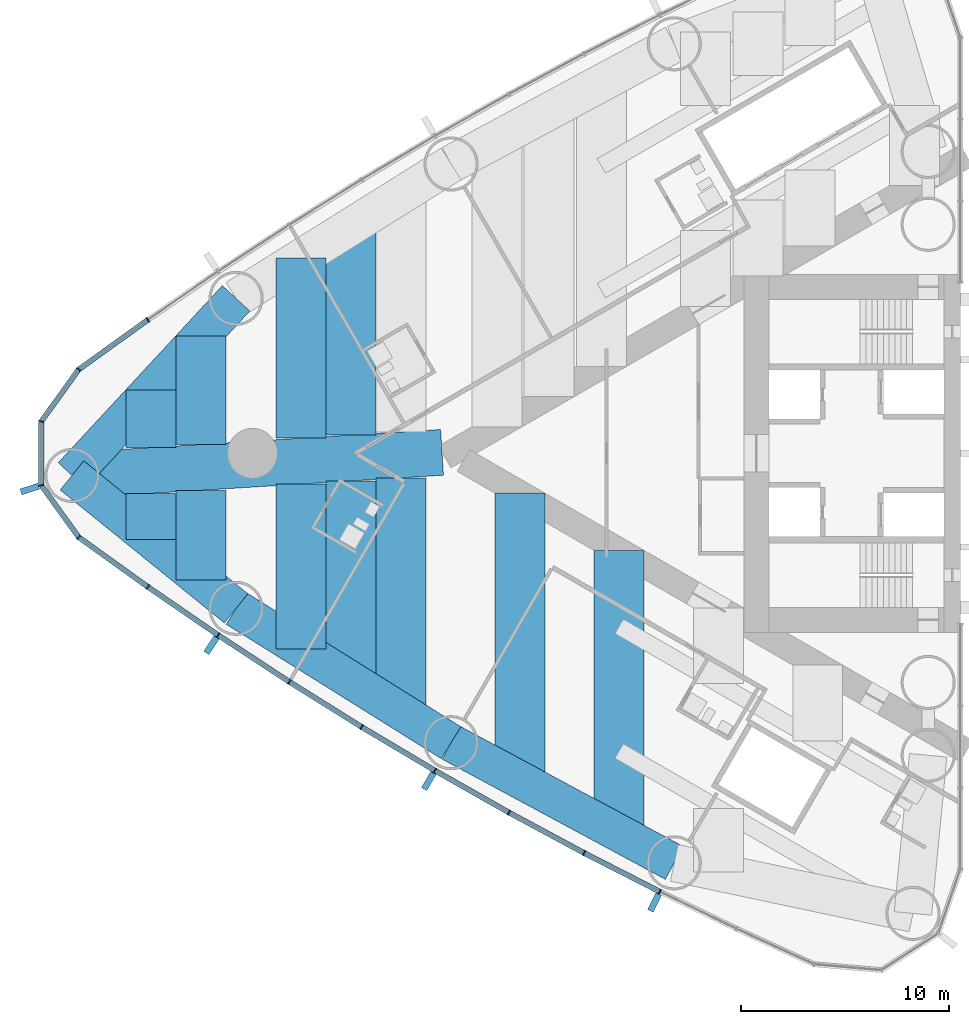
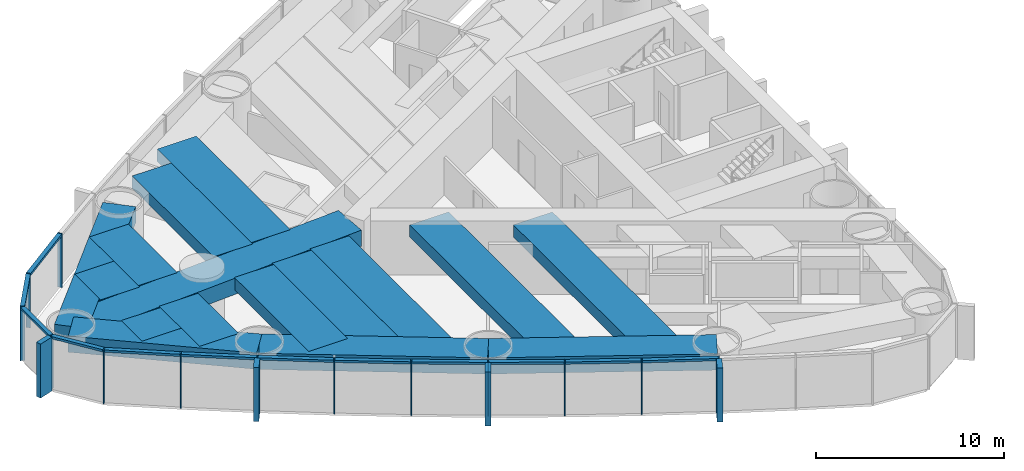
# One storey, part 2 of 19: 29 members, 16 beams, 1 element without a shape of its own.
"""IFC4 building model written with IfcOpenShell, lengths in metres."""

from ifc_helpers import new_model, si_unit, direction, frame, origin, origin_2d, place, context, subcontext, project, spatial, rectangle, extrude, material, material_profile, profile_set, type_object, element, aggregate, save


model = new_model("IFC4")

# Units and contexts
model_context = context("Model", 3, precision=1e-05, world=origin(), true_north=direction((0.0, 1.0)))
body_context = subcontext(model_context, "Body", "Model", "MODEL_VIEW")
ifc_project = project(units=[si_unit("LENGTHUNIT", "METRE"), si_unit("AREAUNIT", "SQUARE_METRE"), si_unit("VOLUMEUNIT", "CUBIC_METRE"), si_unit("PLANEANGLEUNIT", "RADIAN"), si_unit("MASSUNIT", "GRAM", prefix="KILO")], contexts=[model_context])

# Site, building, storey
site_placement = place(None, origin())
site = spatial("IfcSite", under=ifc_project, at=site_placement, CompositionType="ELEMENT")
building_placement = place(site_placement, origin())
building = spatial("IfcBuilding", under=site, at=building_placement, Name="Lancet Gate Hotel", CompositionType="ELEMENT")
storey_placement = place(building_placement, frame((0.0, 0.0, 132.60009765625)))
storey = spatial("IfcBuildingStorey", under=building, at=storey_placement, Name="L35", CompositionType="ELEMENT", Elevation=132.60009765625)

# Curtain wall, members
ifc_material_1 = material(Name="Aluminium curtain wall", Category="aluminium")
curtain_wall_type = type_object("IfcCurtainWallType", Name="Tower unitised curtain wall", PredefinedType="USERDEFINED", material=ifc_material_1)
curtain_wall_placement = place(storey_placement, origin())
curtain_wall = element("IfcCurtainWall", 1, at=curtain_wall_placement, inside=storey, type_object=curtain_wall_type, Name="T1 L35 curtain wall 1", ObjectType="UNITISED CURTAIN WALL", PredefinedType="USERDEFINED")
ifc_material_2 = material(Name="Aluminium mullion", Category="aluminium")
ifc_material_profile_1 = material_profile(ifc_material_2, rectangle(XDim=0.06494140625, YDim=0.25, at=origin_2d()), Name="MULLION 65x250")
ifc_profile_set_1 = profile_set([ifc_material_profile_1], Name="Aluminium mullion")
member_type_1 = type_object("IfcMemberType", Name="Aluminium mullion 65x250", PredefinedType="MULLION", material=ifc_profile_set_1)
member_1_placement = place(storey_placement, frame((-66.5234375, 6.41650390625, 0.0), z_axis=(0.0, 0.0, 1.0), x_axis=(-0.818327221681, -0.574752606132, 0.0)))
member_1 = element("IfcMember", 2, at=member_1_placement, type_object=member_type_1, Name="T1 L35 curtain wall 1 mullion 16", PredefinedType="MULLION", context=body_context, shape_type="SweptSolid", body=[
    extrude(rectangle(XDim=0.06494140625, YDim=0.25, at=origin_2d()), origin(), (0.0, 0.0, 1.0), 3.5),
])
member_2_placement = place(storey_placement, frame((-69.84619140625, 4.02880859375, 0.0), z_axis=(0.0, 0.0, 1.0), x_axis=(-0.723846229576, -0.6899613293, 0.0)))
member_2 = element("IfcMember", 3, at=member_2_placement, type_object=member_type_1, Name="T1 L35 curtain wall 1 mullion 17", PredefinedType="MULLION", context=body_context, shape_type="SweptSolid", body=[
    extrude(rectangle(XDim=0.06494140625, YDim=0.25, at=origin_2d()), origin(), (0.0, 0.0, 1.0), 3.5),
])
member_3_placement = place(storey_placement, frame((-71.64306640625, 1.536376953125, 0.0), z_axis=(0.0, 0.0, 1.0), x_axis=(-0.307269196735, -0.95162263568, 0.0)))
member_3 = element("IfcMember", 4, at=member_3_placement, type_object=member_type_1, Name="T1 L35 curtain wall 1 mullion 18", PredefinedType="MULLION", context=body_context, shape_type="SweptSolid", body=[
    extrude(rectangle(XDim=0.06494140625, YDim=0.25, at=origin_2d()), origin(), (0.0, 0.0, 1.0), 3.5),
])
member_4_placement = place(storey_placement, frame((-71.64306640625, -1.536376953125, 0.0), z_axis=(0.0, 0.0, 1.0), x_axis=(0.307269196735, -0.95162263568, 0.0)))
member_4 = element("IfcMember", 5, at=member_4_placement, type_object=member_type_1, Name="T1 L35 curtain wall 1 mullion 19", PredefinedType="MULLION", context=body_context, shape_type="SweptSolid", body=[
    extrude(rectangle(XDim=0.06494140625, YDim=0.25, at=origin_2d()), origin(), (0.0, 0.0, 1.0), 3.5),
])
member_5_placement = place(storey_placement, frame((-69.84619140625, -4.02880859375, 0.0), z_axis=(0.0, 0.0, 1.0), x_axis=(0.723846229576, -0.6899613293, 0.0)))
member_5 = element("IfcMember", 6, at=member_5_placement, type_object=member_type_1, Name="T1 L35 curtain wall 1 mullion 20", PredefinedType="MULLION", context=body_context, shape_type="SweptSolid", body=[
    extrude(rectangle(XDim=0.06494140625, YDim=0.25, at=origin_2d()), origin(), (0.0, 0.0, 1.0), 3.5),
])
member_6_placement = place(storey_placement, frame((-66.5234375, -6.41650390625, 0.0), z_axis=(0.0, 0.0, 1.0), x_axis=(0.818327221681, -0.574752606132, 0.0)))
member_6 = element("IfcMember", 7, at=member_6_placement, type_object=member_type_1, Name="T1 L35 curtain wall 1 mullion 21", PredefinedType="MULLION", context=body_context, shape_type="SweptSolid", body=[
    extrude(rectangle(XDim=0.06494140625, YDim=0.25, at=origin_2d()), origin(), (0.0, 0.0, 1.0), 3.5),
])
member_7_placement = place(storey_placement, frame((-63.14990234375, -8.73193359375, 0.0), z_axis=(0.0, 0.0, 1.0), x_axis=(0.830510096234, -0.557003572747, 0.0)))
member_7 = element("IfcMember", 8, at=member_7_placement, type_object=member_type_1, Name="T1 L35 curtain wall 1 mullion 22", PredefinedType="MULLION", context=body_context, shape_type="SweptSolid", body=[
    extrude(rectangle(XDim=0.06494140625, YDim=0.25, at=origin_2d()), origin(), (0.0, 0.0, 1.0), 3.5),
])
member_8_placement = place(storey_placement, frame((-59.7275390625, -10.974365234375, 0.0), z_axis=(0.0, 0.0, 1.0), x_axis=(0.84230807036, -0.538996395727, 0.0)))
member_8 = element("IfcMember", 9, at=member_8_placement, type_object=member_type_1, Name="T1 L35 curtain wall 1 mullion 23", PredefinedType="MULLION", context=body_context, shape_type="SweptSolid", body=[
    extrude(rectangle(XDim=0.06494140625, YDim=0.25, at=origin_2d()), origin(), (0.0, 0.0, 1.0), 3.5),
])
member_9_placement = place(storey_placement, frame((-56.257568359375, -13.142333984375, 0.0), z_axis=(0.0, 0.0, 1.0), x_axis=(0.853715676299, -0.52073942048, 0.0)))
member_9 = element("IfcMember", 10, at=member_9_placement, type_object=member_type_1, Name="T1 L35 curtain wall 1 mullion 24", PredefinedType="MULLION", context=body_context, shape_type="SweptSolid", body=[
    extrude(rectangle(XDim=0.06494140625, YDim=0.25, at=origin_2d()), origin(), (0.0, 0.0, 1.0), 3.5),
])
member_10_placement = place(storey_placement, frame((-52.74169921875, -15.2353515625, 0.0), z_axis=(0.0, 0.0, 1.0), x_axis=(0.86472762718, -0.502241108226, 0.0)))
member_10 = element("IfcMember", 11, at=member_10_placement, type_object=member_type_1, Name="T1 L35 curtain wall 1 mullion 25", PredefinedType="MULLION", context=body_context, shape_type="SweptSolid", body=[
    extrude(rectangle(XDim=0.06494140625, YDim=0.25, at=origin_2d()), origin(), (0.0, 0.0, 1.0), 3.5),
])
member_11_placement = place(storey_placement, frame((-49.181640625, -17.252197265625, 0.0), z_axis=(0.0, 0.0, 1.0), x_axis=(0.875338819507, -0.48351003202, 0.0)))
member_11 = element("IfcMember", 12, at=member_11_placement, type_object=member_type_1, Name="T1 L35 curtain wall 1 mullion 26", PredefinedType="MULLION", context=body_context, shape_type="SweptSolid", body=[
    extrude(rectangle(XDim=0.06494140625, YDim=0.25, at=origin_2d()), origin(), (0.0, 0.0, 1.0), 3.5),
])
member_12_placement = place(storey_placement, frame((-45.578857421875, -19.19189453125, 0.0), z_axis=(0.0, 0.0, 1.0), x_axis=(0.885544335517, -0.46455487279, 0.0)))
member_12 = element("IfcMember", 13, at=member_12_placement, type_object=member_type_1, Name="T1 L35 curtain wall 1 mullion 27", PredefinedType="MULLION", context=body_context, shape_type="SweptSolid", body=[
    extrude(rectangle(XDim=0.06494140625, YDim=0.25, at=origin_2d()), origin(), (0.0, 0.0, 1.0), 3.5),
])
member_13_placement = place(storey_placement, frame((-41.935302734375, -21.053466796875, 0.0), z_axis=(0.0, 0.0, 1.0), x_axis=(0.895339445458, -0.445384415317, 0.0)))
member_13 = element("IfcMember", 14, at=member_13_placement, type_object=member_type_1, Name="T1 L35 curtain wall 1 mullion 28", PredefinedType="MULLION", context=body_context, shape_type="SweptSolid", body=[
    extrude(rectangle(XDim=0.06494140625, YDim=0.25, at=origin_2d()), origin(), (0.0, 0.0, 1.0), 3.5),
])
ifc_material_3 = material(Name="Aluminium transom", Category="aluminium")
ifc_material_profile_2 = material_profile(ifc_material_3, rectangle(XDim=0.25, YDim=0.14990234375, at=origin_2d()), Name="TRANSOM 250x150")
ifc_profile_set_2 = profile_set([ifc_material_profile_2], Name="Aluminium transom")
member_type_2 = type_object("IfcMemberType", Name="Aluminium transom 250x150", PredefinedType="USERDEFINED", material=ifc_profile_set_2)
member_14_placement = place(storey_placement, frame((-66.5498046875, 6.3974609375, 3.4248046875), z_axis=(-0.812099770796, -0.583518604908, 0.0), x_axis=(0.583518604908, -0.812099770796, 0.0)))
member_14 = element("IfcMember", 15, at=member_14_placement, type_object=member_type_2, Name="T1 L35 curtain wall 1 transom 16", ObjectType="TRANSOM", PredefinedType="USERDEFINED", context=body_context, shape_type="SweptSolid", body=[
    extrude(rectangle(XDim=0.25, YDim=0.14990234375, at=origin_2d()), origin(), (0.0, 0.0, 1.0), 4.026611328125),
])
member_15_placement = place(storey_placement, frame((-69.865234375, 4.00244140625, 3.4248046875), z_axis=(-0.584787911241, -0.81118622946, 0.0), x_axis=(0.81118622946, -0.584787911241, 0.0)))
member_15 = element("IfcMember", 16, at=member_15_placement, type_object=member_type_2, Name="T1 L35 curtain wall 1 transom 17", ObjectType="TRANSOM", PredefinedType="USERDEFINED", context=body_context, shape_type="SweptSolid", body=[
    extrude(rectangle(XDim=0.25, YDim=0.14990234375, at=origin_2d()), origin(), (0.0, 0.0, 1.0), 3.007568359375),
])
member_16_placement = place(storey_placement, frame((-71.64306640625, 1.50390625, 3.4248046875), z_axis=(0.0, -1.0, 0.0), x_axis=(1.0, 0.0, 0.0)))
member_16 = element("IfcMember", 17, at=member_16_placement, type_object=member_type_2, Name="T1 L35 curtain wall 1 transom 18", ObjectType="TRANSOM", PredefinedType="USERDEFINED", context=body_context, shape_type="SweptSolid", body=[
    extrude(rectangle(XDim=0.25, YDim=0.14990234375, at=origin_2d()), origin(), (0.0, 0.0, 1.0), 3.0078125),
])
member_17_placement = place(storey_placement, frame((-71.6240234375, -1.562744140625, 3.4248046875), z_axis=(0.584787911241, -0.81118622946, 0.0), x_axis=(0.81118622946, 0.584787911241, 0.0)))
member_17 = element("IfcMember", 18, at=member_17_placement, type_object=member_type_2, Name="T1 L35 curtain wall 1 transom 19", ObjectType="TRANSOM", PredefinedType="USERDEFINED", context=body_context, shape_type="SweptSolid", body=[
    extrude(rectangle(XDim=0.25, YDim=0.14990234375, at=origin_2d()), origin(), (0.0, 0.0, 1.0), 3.007568359375),
])
member_18_placement = place(storey_placement, frame((-69.81982421875, -4.0478515625, 3.4248046875), z_axis=(0.812099770796, -0.583518604908, 0.0), x_axis=(0.583518604908, 0.812099770796, 0.0)))
member_18 = element("IfcMember", 19, at=member_18_placement, type_object=member_type_2, Name="T1 L35 curtain wall 1 transom 20", ObjectType="TRANSOM", PredefinedType="USERDEFINED", context=body_context, shape_type="SweptSolid", body=[
    extrude(rectangle(XDim=0.25, YDim=0.14990234375, at=origin_2d()), origin(), (0.0, 0.0, 1.0), 4.026611328125),
])
member_19_placement = place(storey_placement, frame((-66.49658203125, -6.434814453125, 3.4248046875), z_axis=(0.824455665247, -0.565926546508, 0.0), x_axis=(0.565926546508, 0.824455665247, 0.0)))
member_19 = element("IfcMember", 20, at=member_19_placement, type_object=member_type_2, Name="T1 L35 curtain wall 1 transom 21", ObjectType="TRANSOM", PredefinedType="USERDEFINED", context=body_context, shape_type="SweptSolid", body=[
    extrude(rectangle(XDim=0.25, YDim=0.14990234375, at=origin_2d()), origin(), (0.0, 0.0, 1.0), 4.026611328125),
])
member_20_placement = place(storey_placement, frame((-63.122802734375, -8.749755859375, 3.4248046875), z_axis=(0.83645442085, -0.548036496815, 0.0), x_axis=(0.548036496815, 0.83645442085, 0.0)))
member_20 = element("IfcMember", 21, at=member_20_placement, type_object=member_type_2, Name="T1 L35 curtain wall 1 transom 22", ObjectType="TRANSOM", PredefinedType="USERDEFINED", context=body_context, shape_type="SweptSolid", body=[
    extrude(rectangle(XDim=0.25, YDim=0.14990234375, at=origin_2d()), origin(), (0.0, 0.0, 1.0), 4.026611328125),
])
member_21_placement = place(storey_placement, frame((-59.699951171875, -10.991455078125, 3.4248046875), z_axis=(0.848049393821, -0.529917187531, 0.0), x_axis=(0.529917187531, 0.848049393821, 0.0)))
member_21 = element("IfcMember", 22, at=member_21_placement, type_object=member_type_2, Name="T1 L35 curtain wall 1 transom 23", ObjectType="TRANSOM", PredefinedType="USERDEFINED", context=body_context, shape_type="SweptSolid", body=[
    extrude(rectangle(XDim=0.25, YDim=0.14990234375, at=origin_2d()), origin(), (0.0, 0.0, 1.0), 4.026611328125),
])
member_22_placement = place(storey_placement, frame((-56.2294921875, -13.1591796875, 3.4248046875), z_axis=(0.859285270342, -0.511496651186, 0.0), x_axis=(0.511496651186, 0.859285270342, 0.0)))
member_22 = element("IfcMember", 23, at=member_22_placement, type_object=member_type_2, Name="T1 L35 curtain wall 1 transom 24", ObjectType="TRANSOM", PredefinedType="USERDEFINED", context=body_context, shape_type="SweptSolid", body=[
    extrude(rectangle(XDim=0.25, YDim=0.14990234375, at=origin_2d()), origin(), (0.0, 0.0, 1.0), 4.026611328125),
])
member_23_placement = place(storey_placement, frame((-52.71337890625, -15.25146484375, 3.4248046875), z_axis=(0.870091531013, -0.492890178091, 0.0), x_axis=(0.492890178091, 0.870091531013, 0.0)))
member_23 = element("IfcMember", 24, at=member_23_placement, type_object=member_type_2, Name="T1 L35 curtain wall 1 transom 25", ObjectType="TRANSOM", PredefinedType="USERDEFINED", context=body_context, shape_type="SweptSolid", body=[
    extrude(rectangle(XDim=0.25, YDim=0.14990234375, at=origin_2d()), origin(), (0.0, 0.0, 1.0), 4.026611328125),
])
member_24_placement = place(storey_placement, frame((-49.153076171875, -17.267578125, 3.4248046875), z_axis=(0.880498353192, -0.474049206335, 0.0), x_axis=(0.474049206335, 0.880498353192, 0.0)))
member_24 = element("IfcMember", 25, at=member_24_placement, type_object=member_type_2, Name="T1 L35 curtain wall 1 transom 26", ObjectType="TRANSOM", PredefinedType="USERDEFINED", context=body_context, shape_type="SweptSolid", body=[
    extrude(rectangle(XDim=0.25, YDim=0.14990234375, at=origin_2d()), origin(), (0.0, 0.0, 1.0), 4.02685546875),
])
member_25_placement = place(storey_placement, frame((-45.550048828125, -19.20654296875, 3.4248046875), z_axis=(0.89047617483, -0.455029869415, 0.0), x_axis=(0.455029869415, 0.89047617483, 0.0)))
member_25 = element("IfcMember", 26, at=member_25_placement, type_object=member_type_2, Name="T1 L35 curtain wall 1 transom 27", ObjectType="TRANSOM", PredefinedType="USERDEFINED", context=body_context, shape_type="SweptSolid", body=[
    extrude(rectangle(XDim=0.25, YDim=0.14990234375, at=origin_2d()), origin(), (0.0, 0.0, 1.0), 4.026611328125),
])

# Beams
ifc_material_4 = material(Name="Concrete C50/60", Category="concrete")
ifc_material_profile_3 = material_profile(ifc_material_4, rectangle(XDim=1.800048828125, YDim=1.050048828125, at=origin_2d()), Name="RC 1800x1050")
ifc_profile_set_3 = profile_set([ifc_material_profile_3], Name="Concrete C50/60")
beam_type_1 = type_object("IfcBeamType", Name="Edge beam RC 1800x1050", PredefinedType="SPANDREL", material=ifc_profile_set_3)
beam_1_placement = place(storey_placement, frame((-62.28662109375, 7.444580078125, 2.724853515625), z_axis=(-0.679718253794, -0.733473309303, 0.0), x_axis=(0.733473309303, -0.679718253794, 0.0)))
element("IfcBeam", 27, at=beam_1_placement, inside=storey, type_object=beam_type_1, Name="T1 edge beam EB1 L35", PredefinedType="SPANDREL", context=body_context, shape_type="SweptSolid", body=[
    extrude(rectangle(XDim=1.800048828125, YDim=1.050048828125, at=origin_2d()), origin(), (0.0, 0.0, 1.0), 11.594970703125),
])
beam_2_placement = place(storey_placement, frame((-70.16796875, -1.06005859375, 2.724853515625), z_axis=(0.777033503891, -0.629459239213, 0.0), x_axis=(0.629459239213, 0.777033503891, 0.0)))
element("IfcBeam", 28, at=beam_2_placement, inside=storey, type_object=beam_type_1, Name="T1 edge beam EB1 L35", PredefinedType="SPANDREL", context=body_context, shape_type="SweptSolid", body=[
    extrude(rectangle(XDim=1.800048828125, YDim=1.050048828125, at=origin_2d()), origin(), (0.0, 0.0, 1.0), 10.142822265625),
])
for number, where, z_axis, x_axis, name in (
    (29, (-62.28662109375, -7.444580078125, 2.724853515625), (0.848062521637, -0.529896177939, 0.0), (0.529896177939, 0.848062521637, 0.0), "T1 edge beam EB1 L35"),
    (30, (-51.963134765625, -13.89501953125, 2.724853515625), (0.880492350889, -0.474060354835, 0.0), (0.474060354835, 0.880492350889, 0.0), "T1 edge beam EB1 L35"),
):
    element("IfcBeam", number, at=place(storey_placement, frame(where, z_axis=z_axis, x_axis=x_axis)), inside=storey, type_object=beam_type_1, Name=name, PredefinedType="SPANDREL", context=body_context, shape_type="SweptSolid", body=[
        extrude(rectangle(XDim=1.800048828125, YDim=1.050048828125, at=origin_2d()), origin(), (0.0, 0.0, 1.0), 12.173095703125),
    ])

# Member
ifc_material_5 = material(Name="Precast concrete C50/60", Category="concrete")
ifc_material_profile_4 = material_profile(ifc_material_5, rectangle(XDim=0.300048828125, YDim=0.89990234375, at=origin_2d()), Name="FIN 300x900")
ifc_profile_set_4 = profile_set([ifc_material_profile_4], Name="Precast concrete C50/60")
member_type_3 = type_object("IfcMemberType", Name="Exposed concrete fin 300x900", PredefinedType="USERDEFINED", material=ifc_profile_set_4)
member_26_placement = place(storey_placement, frame((-72.190185546875, -1.713134765625, 0.0), z_axis=(0.0, 0.0, 1.0), x_axis=(0.307269196735, -0.95162263568, 0.0)))
member_26 = element("IfcMember", 31, at=member_26_placement, type_object=member_type_3, Name="T1 L35 curtain wall 1 fin 19", ObjectType="FIN", PredefinedType="USERDEFINED", context=body_context, shape_type="SweptSolid", body=[
    extrude(rectangle(XDim=0.300048828125, YDim=0.89990234375, at=origin_2d()), origin(), (0.0, 0.0, 1.0), 3.5),
])

member_27_placement = place(storey_placement, frame((-63.47021484375, -9.20947265625, 0.0), z_axis=(0.0, 0.0, 1.0), x_axis=(0.830510096234, -0.557003572747, 0.0)))
member_27 = element("IfcMember", 32, at=member_27_placement, type_object=member_type_3, Name="T1 L35 curtain wall 1 fin 22", ObjectType="FIN", PredefinedType="USERDEFINED", context=body_context, shape_type="SweptSolid", body=[
    extrude(rectangle(XDim=0.300048828125, YDim=0.89990234375, at=origin_2d()), origin(), (0.0, 0.0, 1.0), 3.5),
])

member_28_placement = place(storey_placement, frame((-53.030517578125, -15.732666015625, 0.0), z_axis=(0.0, 0.0, 1.0), x_axis=(0.86472762718, -0.502241108226, 0.0)))
member_28 = element("IfcMember", 33, at=member_28_placement, type_object=member_type_3, Name="T1 L35 curtain wall 1 fin 25", ObjectType="FIN", PredefinedType="USERDEFINED", context=body_context, shape_type="SweptSolid", body=[
    extrude(rectangle(XDim=0.300048828125, YDim=0.89990234375, at=origin_2d()), origin(), (0.0, 0.0, 1.0), 3.5),
])

member_29_placement = place(storey_placement, frame((-42.19140625, -21.568359375, 0.0), z_axis=(0.0, 0.0, 1.0), x_axis=(0.895339445458, -0.445384415317, 0.0)))
member_29 = element("IfcMember", 34, at=member_29_placement, type_object=member_type_3, Name="T1 L35 curtain wall 1 fin 28", ObjectType="FIN", PredefinedType="USERDEFINED", context=body_context, shape_type="SweptSolid", body=[
    extrude(rectangle(XDim=0.300048828125, YDim=0.89990234375, at=origin_2d()), origin(), (0.0, 0.0, 1.0), 3.5),
])

aggregate(curtain_wall, [member_1, member_2, member_3, member_4, member_26, member_5, member_6, member_7, member_27, member_8, member_9, member_10, member_28, member_11, member_12, member_13, member_29, member_14, member_15, member_16, member_17, member_18, member_19, member_20, member_21, member_22, member_23, member_24, member_25])

# Beams
ifc_material_6 = material(Name="Concrete C50/60", Category="concrete")
ifc_material_profile_5 = material_profile(ifc_material_6, rectangle(XDim=2.39990234375, YDim=0.800048828125, at=origin_2d()), Name="RC 2400x800")
ifc_profile_set_5 = profile_set([ifc_material_profile_5], Name="Concrete C50/60")
beam_type_2 = type_object("IfcBeamType", Name="Floor beam RC 2400x800", PredefinedType="BEAM", material=ifc_profile_set_5)
beam_3_placement = place(storey_placement, frame((-43.891357421875, -4.663330078125, 2.849853515625), z_axis=(0.0, -1.0, 0.0), x_axis=(1.0, 0.0, 0.0)))
element("IfcBeam", 35, at=beam_3_placement, inside=storey, type_object=beam_type_2, Name="T1 floor beam F08N L35", PredefinedType="BEAM", context=body_context, shape_type="SweptSolid", body=[
    extrude(rectangle(XDim=2.39990234375, YDim=0.800048828125, at=origin_2d()), origin(), (0.0, 0.0, 1.0), 13.57763671875),
])
beam_4_placement = place(storey_placement, frame((-48.66015625, -1.909912109375, 2.849853515625), z_axis=(0.0, -1.0, 0.0), x_axis=(1.0, 0.0, 0.0)))
element("IfcBeam", 36, at=beam_4_placement, inside=storey, type_object=beam_type_2, Name="T1 floor beam F11N L35", PredefinedType="BEAM", context=body_context, shape_type="SweptSolid", body=[
    extrude(rectangle(XDim=2.39990234375, YDim=0.800048828125, at=origin_2d()), origin(), (0.0, 0.0, 1.0), 13.763427734375),
])
beam_5_placement = place(storey_placement, frame((-54.3681640625, -1.177001953125, 2.849853515625), z_axis=(0.0, -1.0, 0.0), x_axis=(1.0, 0.0, 0.0)))
element("IfcBeam", 37, at=beam_5_placement, inside=storey, type_object=beam_type_2, Name="T1 floor beam F14N L35", PredefinedType="BEAM", context=body_context, shape_type="SweptSolid", body=[
    extrude(rectangle(XDim=2.39990234375, YDim=0.800048828125, at=origin_2d()), origin(), (0.0, 0.0, 1.0), 11.21533203125),
])
beam_6_placement = place(storey_placement, frame((-56.768310546875, 10.892578125, 2.849853515625), z_axis=(0.0, -1.0, 0.0), x_axis=(1.0, 0.0, 0.0)))
element("IfcBeam", 38, at=beam_6_placement, inside=storey, type_object=beam_type_2, Name="T1 floor beam F15S L35", PredefinedType="BEAM", context=body_context, shape_type="SweptSolid", body=[
    extrude(rectangle(XDim=2.39990234375, YDim=0.800048828125, at=origin_2d()), origin(), (0.0, 0.0, 1.0), 10.014892578125),
])
beam_7_placement = place(storey_placement, frame((-56.768310546875, -1.32666015625, 2.849853515625), z_axis=(0.0, -1.0, 0.0), x_axis=(1.0, 0.0, 0.0)))
element("IfcBeam", 39, at=beam_7_placement, inside=storey, type_object=beam_type_2, Name="T1 floor beam F16N L35", PredefinedType="BEAM", context=body_context, shape_type="SweptSolid", body=[
    extrude(rectangle(XDim=2.39990234375, YDim=0.800048828125, at=origin_2d()), origin(), (0.0, 0.0, 1.0), 9.56591796875),
])
beam_8_placement = place(storey_placement, frame((-59.168212890625, 9.39306640625, 2.849853515625), z_axis=(0.0, -1.0, 0.0), x_axis=(1.0, 0.0, 0.0)))
element("IfcBeam", 40, at=beam_8_placement, inside=storey, type_object=beam_type_2, Name="T1 floor beam F17S L35", PredefinedType="BEAM", context=body_context, shape_type="SweptSolid", body=[
    extrude(rectangle(XDim=2.39990234375, YDim=0.800048828125, at=origin_2d()), origin(), (0.0, 0.0, 1.0), 8.6650390625),
])
beam_9_placement = place(storey_placement, frame((-59.168212890625, -1.476318359375, 2.849853515625), z_axis=(0.0, -1.0, 0.0), x_axis=(1.0, 0.0, 0.0)))
element("IfcBeam", 41, at=beam_9_placement, inside=storey, type_object=beam_type_2, Name="T1 floor beam F18N L35", PredefinedType="BEAM", context=body_context, shape_type="SweptSolid", body=[
    extrude(rectangle(XDim=2.39990234375, YDim=0.800048828125, at=origin_2d()), origin(), (0.0, 0.0, 1.0), 7.916748046875),
])
beam_10_placement = place(storey_placement, frame((-63.96826171875, 5.6298828125, 2.849853515625), z_axis=(0.0, -1.0, 0.0), x_axis=(1.0, 0.0, 0.0)))
element("IfcBeam", 42, at=beam_10_placement, inside=storey, type_object=beam_type_2, Name="T1 floor beam F19S L35", PredefinedType="BEAM", context=body_context, shape_type="SweptSolid", body=[
    extrude(rectangle(XDim=2.39990234375, YDim=0.800048828125, at=origin_2d()), origin(), (0.0, 0.0, 1.0), 5.201171875),
])
beam_11_placement = place(storey_placement, frame((-63.96826171875, -1.775634765625, 2.849853515625), z_axis=(0.0, -1.0, 0.0), x_axis=(1.0, 0.0, 0.0)))
element("IfcBeam", 43, at=beam_11_placement, inside=storey, type_object=beam_type_2, Name="T1 floor beam F20N L35", PredefinedType="BEAM", context=body_context, shape_type="SweptSolid", body=[
    extrude(rectangle(XDim=2.39990234375, YDim=0.800048828125, at=origin_2d()), origin(), (0.0, 0.0, 1.0), 4.306640625),
])
beam_12_placement = place(storey_placement, frame((-66.3681640625, 3.040283203125, 2.849853515625), z_axis=(0.0, -1.0, 0.0), x_axis=(1.0, 0.0, 0.0)))
element("IfcBeam", 44, at=beam_12_placement, inside=storey, type_object=beam_type_2, Name="T1 floor beam F21S L35", PredefinedType="BEAM", context=body_context, shape_type="SweptSolid", body=[
    extrude(rectangle(XDim=2.39990234375, YDim=0.800048828125, at=origin_2d()), origin(), (0.0, 0.0, 1.0), 2.76123046875),
])
beam_13_placement = place(storey_placement, frame((-66.3681640625, -1.92529296875, 2.849853515625), z_axis=(0.0, -1.0, 0.0), x_axis=(1.0, 0.0, 0.0)))
element("IfcBeam", 45, at=beam_13_placement, inside=storey, type_object=beam_type_2, Name="T1 floor beam F22N L35", PredefinedType="BEAM", context=body_context, shape_type="SweptSolid", body=[
    extrude(rectangle(XDim=2.39990234375, YDim=0.800048828125, at=origin_2d()), origin(), (0.0, 0.0, 1.0), 2.212890625),
])
ifc_material_7 = material(Name="Concrete C50/60", Category="concrete")
ifc_material_profile_6 = material_profile(ifc_material_7, rectangle(XDim=2.199951171875, YDim=1.050048828125, at=origin_2d()), Name="RC 2200x1050")
ifc_profile_set_6 = profile_set([ifc_material_profile_6], Name="Concrete C50/60")
beam_type_3 = type_object("IfcBeamType", Name="Radial floor beam RC 2200x1050", PredefinedType="BEAM", material=ifc_profile_set_6)
beam_14_placement = place(storey_placement, frame((-70.16796875, -1.06005859375, 2.724853515625), z_axis=(0.998061637313, 0.062233175423, 0.0), x_axis=(-0.062233175423, 0.998061637313, 0.0)))
element("IfcBeam", 46, at=beam_14_placement, inside=storey, type_object=beam_type_3, Name="T1 radial beam CA L35", PredefinedType="BEAM", context=body_context, shape_type="SweptSolid", body=[
    extrude(rectangle(XDim=2.199951171875, YDim=1.050048828125, at=origin_2d()), origin(), (0.0, 0.0, 1.0), 17.806396484375),
])

save(model, "model.ifc")
